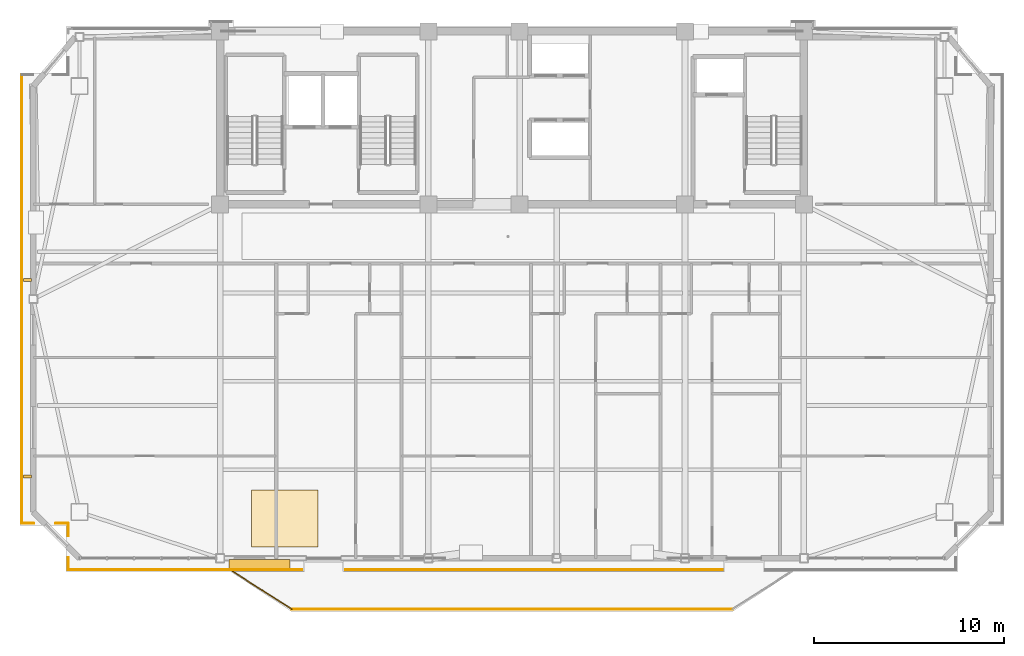
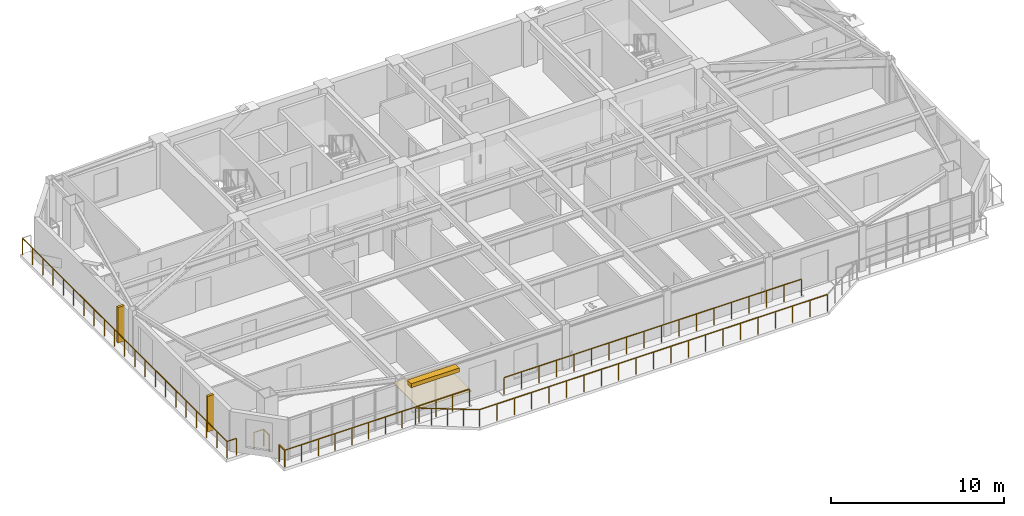
# One storey, part 12 of 15: 9 railings, 3 shading devices, 1 covering.
"""IFC4 building model written with IfcOpenShell, lengths in metres."""

import ifcopenshell
import ifcopenshell.guid

model = None  # the IFC model being written
_history = None  # IfcOwnerHistory: only IFC2X3 demands one
_inside = {}  # id of a spatial element -> (the spatial element, [elements in it])
_under = {}  # id of a project, library or spatial element -> (it, [spatial elements below it])
_declared = {}  # id of a project -> (the project, [libraries it declares])
_typed = {}  # id of a type object -> (the type object, [elements of that type])
_made_of = {}  # id of a material, layer set ... -> (it, [elements and type objects made of it])


def new_model(schema):
    """Start an empty IFC model of exactly this schema.

    Asked for "IFC4X3", IfcOpenShell would pick the latest addendum, in which some entities
    have other attributes; the version numbers below select the first issue.
    IFC2X3 requires an IfcOwnerHistory on every rooted entity: one is made here for all.
    """
    global model, _history
    if schema == "IFC4X3":
        model = ifcopenshell.file(schema_version=(4, 3, 0, 0))
    else:
        model = ifcopenshell.file(schema=schema)
    _inside.clear()
    _under.clear()
    _declared.clear()
    _typed.clear()
    _made_of.clear()
    _history = None
    if model.schema == "IFC2X3":
        org = make("IfcOrganization", Name="unknown")
        user = make(
            "IfcPersonAndOrganization",
            ThePerson=make("IfcPerson", FamilyName="unknown"),
            TheOrganization=org,
        )
        app = make(
            "IfcApplication",
            ApplicationDeveloper=org,
            Version="unknown",
            ApplicationFullName="unknown",
            ApplicationIdentifier="unknown",
        )
        _history = make(
            "IfcOwnerHistory",
            OwningUser=user,
            OwningApplication=app,
            ChangeAction="ADDED",
            CreationDate=0,
        )
    return model


def make(cls, **values):
    """One entity of the class cls with the attributes given. An attribute that is None is left unset."""
    return model.create_entity(
        cls, **{name: value for name, value in values.items() if value is not None}
    )


def rooted(cls, **values):
    """An entity with a GlobalId (a new one), such as an element, a storey or a relation."""
    return make(cls, GlobalId=ifcopenshell.guid.new(), OwnerHistory=_history, **values)


def si_unit(unit_type, name, prefix=None):
    """IfcSIUnit, for example si_unit("LENGTHUNIT", "METRE", prefix="MILLI")."""
    return make("IfcSIUnit", UnitType=unit_type, Prefix=prefix, Name=name)


def assignment(units):
    """IfcUnitAssignment: the units of a project."""
    return None if units is None else make("IfcUnitAssignment", Units=units)


def point(xyz):
    """IfcCartesianPoint."""
    return None if xyz is None else make("IfcCartesianPoint", Coordinates=xyz)


def direction(xyz):
    """IfcDirection."""
    return None if xyz is None else make("IfcDirection", DirectionRatios=xyz)


def frame(location, z_axis=None, x_axis=None):
    """IfcAxis2Placement3D, a coordinate frame: its origin and axes. An axis left out is left unset."""
    return make(
        "IfcAxis2Placement3D",
        Location=point(location),
        Axis=direction(z_axis),
        RefDirection=direction(x_axis),
    )


def frame_2d(location, x_axis=None):
    """IfcAxis2Placement2D, a coordinate frame in the plane: its origin and x axis."""
    return make(
        "IfcAxis2Placement2D", Location=point(location), RefDirection=direction(x_axis)
    )


def origin():
    """The frame at (0, 0, 0) with its axes left unset."""
    return frame((0.0, 0.0, 0.0))


def origin_2d():
    """The frame at (0, 0) in the plane with its x axis left unset."""
    return frame_2d((0.0, 0.0))


def place(relative_to, where):
    """IfcLocalPlacement: puts the frame where relative to a parent placement (None: the world)."""
    return make(
        "IfcLocalPlacement", PlacementRelTo=relative_to, RelativePlacement=where
    )


def context(
    kind, dimensions, precision=None, world=None, true_north=None, identifier=None
):
    """IfcGeometricRepresentationContext, for example the 3D "Model" context."""
    return make(
        "IfcGeometricRepresentationContext",
        ContextIdentifier=identifier,
        ContextType=kind,
        CoordinateSpaceDimension=dimensions,
        Precision=precision,
        WorldCoordinateSystem=world,
        TrueNorth=true_north,
    )


def subcontext(parent, identifier, kind, view, scale=None):
    """IfcGeometricRepresentationSubContext, for example "Body" below "Model"."""
    return make(
        "IfcGeometricRepresentationSubContext",
        ContextIdentifier=identifier,
        ContextType=kind,
        ParentContext=parent,
        TargetScale=scale,
        TargetView=view,
    )


def project(units=None, contexts=None):
    """IfcProject with its units and contexts."""
    return rooted(
        "IfcProject",
        Name="project",
        RepresentationContexts=contexts,
        UnitsInContext=assignment(units),
    )


def spatial(cls, under=None, at=None, **own):
    """A site, building, storey or space (cls), placed at a placement, below another one or the project."""
    s = rooted(cls, ObjectPlacement=at, **own)
    if under is not None:
        _under.setdefault(under.id(), (under, []))[1].append(s)
    return s


def polyline(points):
    """IfcPolyline through the points."""
    return make("IfcPolyline", Points=[point(p) for p in points])


def profile(cls, at=None, kind="AREA", **sizes):
    """A parametric profile (cls). Its sizes go by their IFC names, for example OverallWidth=200.0."""
    return make(cls, ProfileType=kind, Position=at, **sizes)


def rectangle(**sizes):
    """IfcRectangleProfileDef."""
    return profile("IfcRectangleProfileDef", **sizes)


def outline(outer, holes=None, kind="AREA"):
    """IfcArbitraryClosedProfileDef: a profile drawn as a closed curve; with holes, ...WithVoids."""
    if holes is None:
        return make("IfcArbitraryClosedProfileDef", ProfileType=kind, OuterCurve=outer)
    return make(
        "IfcArbitraryProfileDefWithVoids",
        ProfileType=kind,
        OuterCurve=outer,
        InnerCurves=holes,
    )


def extrude(swept, where, along, depth):
    """IfcExtrudedAreaSolid: the profile swept, set in the frame where, extruded along a direction by depth."""
    return make(
        "IfcExtrudedAreaSolid",
        SweptArea=swept,
        Position=where,
        ExtrudedDirection=direction(along),
        Depth=depth,
    )


def shape(context_of_items, identifier, shape_type, items):
    """IfcShapeRepresentation: the items that make up one representation, for example the "Body"."""
    return make(
        "IfcShapeRepresentation",
        ContextOfItems=context_of_items,
        RepresentationIdentifier=identifier,
        RepresentationType=shape_type,
        Items=items,
    )


def source(mapping_origin, context_of_items, identifier, shape_type, items):
    """IfcRepresentationMap: a shape defined once, which mapped items show again and again."""
    return make(
        "IfcRepresentationMap",
        MappingOrigin=mapping_origin,
        MappedRepresentation=shape(context_of_items, identifier, shape_type, items),
    )


def transform(
    local_origin,
    x_axis=None,
    y_axis=None,
    z_axis=None,
    scale=None,
    scale2=None,
    scale3=None,
    uniform=True,
):
    """IfcCartesianTransformationOperator3D, or its non-uniform kind. x_axis, y_axis, z_axis: its Axis1, 2, 3."""
    if uniform:
        return make(
            "IfcCartesianTransformationOperator3D",
            Axis1=direction(x_axis),
            Axis2=direction(y_axis),
            LocalOrigin=point(local_origin),
            Scale=scale,
            Axis3=direction(z_axis),
        )
    return make(
        "IfcCartesianTransformationOperator3DnonUniform",
        Axis1=direction(x_axis),
        Axis2=direction(y_axis),
        LocalOrigin=point(local_origin),
        Scale=scale,
        Axis3=direction(z_axis),
        Scale2=scale2,
        Scale3=scale3,
    )


def mapped(mapping_source, mapping_target):
    """IfcMappedItem: shows the shape of a source again, moved by a transform."""
    return make(
        "IfcMappedItem", MappingSource=mapping_source, MappingTarget=mapping_target
    )


def material(Name=None, Category=None):
    """IfcMaterial."""
    return make("IfcMaterial", Name=Name, Category=Category)


def layer(
    of_material, thickness, ventilated=None, Name=None, Category=None, Priority=None
):
    """IfcMaterialLayer: one layer of a wall or slab, of a material (None: an air gap)."""
    return make(
        "IfcMaterialLayer",
        Material=of_material,
        LayerThickness=thickness,
        IsVentilated=ventilated,
        Name=Name,
        Category=Category,
        Priority=Priority,
    )


def layer_set(layers, Name=None):
    """IfcMaterialLayerSet."""
    return make("IfcMaterialLayerSet", MaterialLayers=layers, LayerSetName=Name)


def made_of(thing, what):
    """Note that an element or type object is made of a material, layer set ...; save() writes the relation."""
    if what is not None:
        _made_of.setdefault(what.id(), (what, []))[1].append(thing)
    return thing


def type_object(cls, material=None, **own):
    """A type object (cls), such as IfcWallType, which elements share."""
    return made_of(rooted(cls, **own), material)


def element(
    cls,
    number,
    at=None,
    inside=None,
    cuts=None,
    type_object=None,
    material=None,
    context=None,
    identifier="Body",
    shape_type=None,
    held_by="IfcProductDefinitionShape",
    body=None,
    shapes=None,
    **own,
):
    """One element of the class cls, such as IfcWall. Its Tag is "e" and its number.

    at: its placement. inside: the storey or other place that contains it. cuts: it is an
    opening in that element (IfcRelVoidsElement). A single representation is given by context,
    identifier, shape_type and body (its items); several are given by shapes. held_by: the class
    of the entity that holds the representations. save() writes the other relations.
    """
    e = rooted(cls, Tag="e%d" % number, ObjectPlacement=at, **own)
    if body is not None:
        shapes = [shape(context, identifier, shape_type, body)]
    if shapes is not None:
        e.Representation = make(held_by, Representations=shapes)
    if inside is not None:
        _inside.setdefault(inside.id(), (inside, []))[1].append(e)
    if cuts is not None:
        rooted(
            "IfcRelVoidsElement", RelatingBuildingElement=cuts, RelatedOpeningElement=e
        )
    if type_object is not None:
        _typed.setdefault(type_object.id(), (type_object, []))[1].append(e)
    return made_of(e, material)


def aggregate(whole, parts):
    """IfcRelAggregates: a whole, such as a stair, and the parts it consists of."""
    return rooted("IfcRelAggregates", RelatingObject=whole, RelatedObjects=parts)


def save(model, path):
    """Write the relations noted so far, then the file.

    IfcRelAggregates (storeys below a building ...), IfcRelContainedInSpatialStructure (elements
    in a storey), IfcRelDefinesByType, IfcRelAssociatesMaterial and IfcRelDeclares: one each for
    every whole, place, type object, material and project.
    """
    for whole, parts in _under.values():
        aggregate(whole, parts)
    for where, things in _inside.values():
        rooted(
            "IfcRelContainedInSpatialStructure",
            RelatedElements=things,
            RelatingStructure=where,
        )
    for kind, things in _typed.values():
        rooted("IfcRelDefinesByType", RelatedObjects=things, RelatingType=kind)
    for what, things in _made_of.values():
        rooted("IfcRelAssociatesMaterial", RelatedObjects=things, RelatingMaterial=what)
    for by, libraries in _declared.values():
        rooted("IfcRelDeclares", RelatingContext=by, RelatedDefinitions=libraries)
    model.write(path)


model = new_model("IFC4")

# Units and contexts
model_context = context("Model", 3, precision=1e-05, world=origin(), true_north=direction((0.0, 1.0)))
body_context = subcontext(model_context, "Body", "Model", "MODEL_VIEW")
ifc_project = project(units=[si_unit("LENGTHUNIT", "METRE"), si_unit("AREAUNIT", "SQUARE_METRE"), si_unit("VOLUMEUNIT", "CUBIC_METRE"), si_unit("PLANEANGLEUNIT", "RADIAN"), si_unit("MASSUNIT", "GRAM", prefix="KILO")], contexts=[model_context])

# Site, building, storey
site_placement = place(None, origin())
site = spatial("IfcSite", under=ifc_project, at=site_placement, CompositionType="ELEMENT")
building_placement = place(site_placement, origin())
building = spatial("IfcBuilding", under=site, at=building_placement, Name="Giltprow Tower", CompositionType="ELEMENT")
storey_placement = place(building_placement, frame((0.0, 0.0, 293.800048828125)))
storey = spatial("IfcBuildingStorey", under=building, at=storey_placement, Name="L75", CompositionType="ELEMENT", Elevation=293.800048828125)

# Covering
ifc_material_1 = material(Name="Engineered oak", Category="wood")
ifc_layer = layer(ifc_material_1, 0.02490234375, Name="Engineered oak")
ifc_layer_set = layer_set([ifc_layer], Name="Engineered oak")
covering_type = type_object("IfcCoveringType", Name="COV-FLR-TIMBER", PredefinedType="FLOORING", material=ifc_layer_set)
covering_placement = place(storey_placement, origin())
element("IfcCovering", 1, at=covering_placement, inside=storey, type_object=covering_type, Name="L75 Residence Oak Parquet Flooring", PredefinedType="FLOORING", context=body_context, shape_type="SweptSolid", body=[
    extrude(outline(polyline([(21.5, 19.44091796875), (25.0, 19.44091796875), (25.0, 22.44091796875), (21.5, 22.44091796875), (21.5, 19.44091796875)])), origin(), (0.0, 0.0, 1.0), 0.02490234375),
])

# Railings
ifc_material_2 = material(Name="Anodized bronze", Category="metal")
railing_type = type_object("IfcRailingType", Name="RAIL-BALC-GUARD-1200", PredefinedType="BALUSTRADE", material=ifc_material_2)
railing_1_placement = place(storey_placement, frame((20.52001953125, 18.14111328125, 0.0)))
element("IfcRailing", 2, at=railing_1_placement, inside=storey, type_object=railing_type, Name="L75 Waterfront Balcony Balustrade Seg 1", PredefinedType="BALUSTRADE", context=body_context, shape_type="SweptSolid", body=[
    extrude(rectangle(XDim=0.048095703125, YDim=0.048095703125, at=origin_2d()), frame((0.0, 0.0, 1.17578125), z_axis=(0.842744768896, -0.5383133423, 0.0), x_axis=(0.5383133423, 0.842744768896, 0.0)), (0.0, 0.0, 1.0), 3.678466796875),
    extrude(rectangle(XDim=0.0419921875, YDim=0.0419921875, at=origin_2d()), origin(), (0.0, 0.0, 1.0), 1.15185546875),
    extrude(rectangle(XDim=0.0419921875, YDim=0.0419921875, at=origin_2d()), frame((0.77490234375, -0.4951171875, 0.0)), (0.0, 0.0, 1.0), 1.15185546875),
    extrude(rectangle(XDim=0.0419921875, YDim=0.0419921875, at=origin_2d()), frame((1.550048828125, -0.990234375, 0.0)), (0.0, 0.0, 1.0), 1.15185546875),
    extrude(rectangle(XDim=0.0419921875, YDim=0.0419921875, at=origin_2d()), frame((2.3251953125, -1.485107421875, 0.0)), (0.0, 0.0, 1.0), 1.15185546875),
    extrude(rectangle(XDim=0.0419921875, YDim=0.0419921875, at=origin_2d()), frame((3.10009765625, -1.980224609375, 0.0)), (0.0, 0.0, 1.0), 1.15185546875),
])
railing_2_placement = place(storey_placement, frame((23.6201171875, 16.160888671875, 0.0)))
element("IfcRailing", 3, at=railing_2_placement, inside=storey, type_object=railing_type, Name="L75 Waterfront Balcony Balustrade Seg 2", PredefinedType="BALUSTRADE", context=body_context, shape_type="SweptSolid", body=[
    extrude(rectangle(XDim=0.048095703125, YDim=0.048095703125, at=origin_2d()), frame((0.0, 0.0, 1.17578125), z_axis=(1.0, 0.0, 0.0), x_axis=(0.0, 1.0, 0.0)), (0.0, 0.0, 1.0), 23.159912109375),
    extrude(rectangle(XDim=0.0419921875, YDim=0.0419921875, at=origin_2d()), origin(), (0.0, 0.0, 1.0), 1.15185546875),
    extrude(rectangle(XDim=0.0419921875, YDim=0.0419921875, at=origin_2d()), frame((1.157958984375, 0.0, 0.0)), (0.0, 0.0, 1.0), 1.15185546875),
    extrude(rectangle(XDim=0.0419921875, YDim=0.0419921875, at=origin_2d()), frame((2.31591796875, 0.0, 0.0)), (0.0, 0.0, 1.0), 1.15185546875),
    extrude(rectangle(XDim=0.0419921875, YDim=0.0419921875, at=origin_2d()), frame((3.473876953125, 0.0, 0.0)), (0.0, 0.0, 1.0), 1.15185546875),
    extrude(rectangle(XDim=0.0419921875, YDim=0.0419921875, at=origin_2d()), frame((4.632080078125, 0.0, 0.0)), (0.0, 0.0, 1.0), 1.15185546875),
    extrude(rectangle(XDim=0.0419921875, YDim=0.0419921875, at=origin_2d()), frame((5.7900390625, 0.0, 0.0)), (0.0, 0.0, 1.0), 1.15185546875),
    extrude(rectangle(XDim=0.0419921875, YDim=0.0419921875, at=origin_2d()), frame((6.947998046875, 0.0, 0.0)), (0.0, 0.0, 1.0), 1.15185546875),
    extrude(rectangle(XDim=0.0419921875, YDim=0.0419921875, at=origin_2d()), frame((8.10595703125, 0.0, 0.0)), (0.0, 0.0, 1.0), 1.15185546875),
    extrude(rectangle(XDim=0.0419921875, YDim=0.0419921875, at=origin_2d()), frame((9.263916015625, 0.0, 0.0)), (0.0, 0.0, 1.0), 1.15185546875),
    extrude(rectangle(XDim=0.0419921875, YDim=0.0419921875, at=origin_2d()), frame((10.421875, 0.0, 0.0)), (0.0, 0.0, 1.0), 1.15185546875),
    extrude(rectangle(XDim=0.0419921875, YDim=0.0419921875, at=origin_2d()), frame((11.580078125, 0.0, 0.0)), (0.0, 0.0, 1.0), 1.15185546875),
    extrude(rectangle(XDim=0.0419921875, YDim=0.0419921875, at=origin_2d()), frame((12.738037109375, 0.0, 0.0)), (0.0, 0.0, 1.0), 1.15185546875),
    extrude(rectangle(XDim=0.0419921875, YDim=0.0419921875, at=origin_2d()), frame((13.89599609375, 0.0, 0.0)), (0.0, 0.0, 1.0), 1.15185546875),
    extrude(rectangle(XDim=0.0419921875, YDim=0.0419921875, at=origin_2d()), frame((15.053955078125, 0.0, 0.0)), (0.0, 0.0, 1.0), 1.15185546875),
    extrude(rectangle(XDim=0.0419921875, YDim=0.0419921875, at=origin_2d()), frame((16.2119140625, 0.0, 0.0)), (0.0, 0.0, 1.0), 1.15185546875),
    extrude(rectangle(XDim=0.0419921875, YDim=0.0419921875, at=origin_2d()), frame((17.369873046875, 0.0, 0.0)), (0.0, 0.0, 1.0), 1.15185546875),
    extrude(rectangle(XDim=0.0419921875, YDim=0.0419921875, at=origin_2d()), frame((18.52783203125, 0.0, 0.0)), (0.0, 0.0, 1.0), 1.15185546875),
    extrude(rectangle(XDim=0.0419921875, YDim=0.0419921875, at=origin_2d()), frame((19.68603515625, 0.0, 0.0)), (0.0, 0.0, 1.0), 1.15185546875),
    extrude(rectangle(XDim=0.0419921875, YDim=0.0419921875, at=origin_2d()), frame((20.843994140625, 0.0, 0.0)), (0.0, 0.0, 1.0), 1.15185546875),
    extrude(rectangle(XDim=0.0419921875, YDim=0.0419921875, at=origin_2d()), frame((22.001953125, 0.0, 0.0)), (0.0, 0.0, 1.0), 1.15185546875),
    extrude(rectangle(XDim=0.0419921875, YDim=0.0419921875, at=origin_2d()), frame((23.159912109375, 0.0, 0.0)), (0.0, 0.0, 1.0), 1.15185546875),
])
railing_3_placement = place(storey_placement, frame((46.25, 18.240966796875, 0.0)))
element("IfcRailing", 4, at=railing_3_placement, inside=storey, type_object=railing_type, Name="L75 Corner Apron Edge Balustrade 7", PredefinedType="BALUSTRADE", context=body_context, shape_type="SweptSolid", body=[
    extrude(rectangle(XDim=0.048095703125, YDim=0.048095703125, at=origin_2d()), frame((0.0, 0.0, 1.17578125), z_axis=(-1.0, 0.0, 0.0), x_axis=(0.0, -1.0, 0.0)), (0.0, 0.0, 1.0), 19.800048828125),
    extrude(rectangle(XDim=0.0419921875, YDim=0.0419921875, at=origin_2d()), origin(), (0.0, 0.0, 1.0), 1.15185546875),
    extrude(rectangle(XDim=0.0419921875, YDim=0.0419921875, at=origin_2d()), frame((-1.164794921875, 0.0, 0.0)), (0.0, 0.0, 1.0), 1.15185546875),
    extrude(rectangle(XDim=0.0419921875, YDim=0.0419921875, at=origin_2d()), frame((-2.329345703125, 0.0, 0.0)), (0.0, 0.0, 1.0), 1.15185546875),
    extrude(rectangle(XDim=0.0419921875, YDim=0.0419921875, at=origin_2d()), frame((-3.494140625, 0.0, 0.0)), (0.0, 0.0, 1.0), 1.15185546875),
    extrude(rectangle(XDim=0.0419921875, YDim=0.0419921875, at=origin_2d()), frame((-4.658935546875, 0.0, 0.0)), (0.0, 0.0, 1.0), 1.15185546875),
    extrude(rectangle(XDim=0.0419921875, YDim=0.0419921875, at=origin_2d()), frame((-5.823486328125, 0.0, 0.0)), (0.0, 0.0, 1.0), 1.15185546875),
    extrude(rectangle(XDim=0.0419921875, YDim=0.0419921875, at=origin_2d()), frame((-6.98828125, 0.0, 0.0)), (0.0, 0.0, 1.0), 1.15185546875),
    extrude(rectangle(XDim=0.0419921875, YDim=0.0419921875, at=origin_2d()), frame((-8.153076171875, 0.0, 0.0)), (0.0, 0.0, 1.0), 1.15185546875),
    extrude(rectangle(XDim=0.0419921875, YDim=0.0419921875, at=origin_2d()), frame((-9.317626953125, 0.0, 0.0)), (0.0, 0.0, 1.0), 1.15185546875),
    extrude(rectangle(XDim=0.0419921875, YDim=0.0419921875, at=origin_2d()), frame((-10.482421875, 0.0, 0.0)), (0.0, 0.0, 1.0), 1.15185546875),
    extrude(rectangle(XDim=0.0419921875, YDim=0.0419921875, at=origin_2d()), frame((-11.64697265625, 0.0, 0.0)), (0.0, 0.0, 1.0), 1.15185546875),
    extrude(rectangle(XDim=0.0419921875, YDim=0.0419921875, at=origin_2d()), frame((-12.811767578125, 0.0, 0.0)), (0.0, 0.0, 1.0), 1.15185546875),
    extrude(rectangle(XDim=0.0419921875, YDim=0.0419921875, at=origin_2d()), frame((-13.9765625, 0.0, 0.0)), (0.0, 0.0, 1.0), 1.15185546875),
    extrude(rectangle(XDim=0.0419921875, YDim=0.0419921875, at=origin_2d()), frame((-15.14111328125, 0.0, 0.0)), (0.0, 0.0, 1.0), 1.15185546875),
    extrude(rectangle(XDim=0.0419921875, YDim=0.0419921875, at=origin_2d()), frame((-16.305908203125, 0.0, 0.0)), (0.0, 0.0, 1.0), 1.15185546875),
    extrude(rectangle(XDim=0.0419921875, YDim=0.0419921875, at=origin_2d()), frame((-17.470703125, 0.0, 0.0)), (0.0, 0.0, 1.0), 1.15185546875),
    extrude(rectangle(XDim=0.0419921875, YDim=0.0419921875, at=origin_2d()), frame((-18.63525390625, 0.0, 0.0)), (0.0, 0.0, 1.0), 1.15185546875),
    extrude(rectangle(XDim=0.0419921875, YDim=0.0419921875, at=origin_2d()), frame((-19.800048828125, 0.0, 0.0)), (0.0, 0.0, 1.0), 1.15185546875),
])
railing_4_placement = place(storey_placement, frame((24.14990234375, 18.240966796875, 0.0)))
element("IfcRailing", 5, at=railing_4_placement, inside=storey, type_object=railing_type, Name="L75 Corner Apron Edge Balustrade 8", PredefinedType="BALUSTRADE", context=body_context, shape_type="SweptSolid", body=[
    extrude(rectangle(XDim=0.048095703125, YDim=0.048095703125, at=origin_2d()), frame((0.0, 0.0, 1.17578125), z_axis=(-1.0, 0.0, 0.0), x_axis=(0.0, -1.0, 0.0)), (0.0, 0.0, 1.0), 12.294921875),
    extrude(rectangle(XDim=0.0419921875, YDim=0.0419921875, at=origin_2d()), origin(), (0.0, 0.0, 1.0), 1.15185546875),
    extrude(rectangle(XDim=0.0419921875, YDim=0.0419921875, at=origin_2d()), frame((-1.11767578125, 0.0, 0.0)), (0.0, 0.0, 1.0), 1.15185546875),
    extrude(rectangle(XDim=0.0419921875, YDim=0.0419921875, at=origin_2d()), frame((-2.2353515625, 0.0, 0.0)), (0.0, 0.0, 1.0), 1.15185546875),
    extrude(rectangle(XDim=0.0419921875, YDim=0.0419921875, at=origin_2d()), frame((-3.353271484375, 0.0, 0.0)), (0.0, 0.0, 1.0), 1.15185546875),
    extrude(rectangle(XDim=0.0419921875, YDim=0.0419921875, at=origin_2d()), frame((-4.470947265625, 0.0, 0.0)), (0.0, 0.0, 1.0), 1.15185546875),
    extrude(rectangle(XDim=0.0419921875, YDim=0.0419921875, at=origin_2d()), frame((-5.588623046875, 0.0, 0.0)), (0.0, 0.0, 1.0), 1.15185546875),
    extrude(rectangle(XDim=0.0419921875, YDim=0.0419921875, at=origin_2d()), frame((-6.706298828125, 0.0, 0.0)), (0.0, 0.0, 1.0), 1.15185546875),
    extrude(rectangle(XDim=0.0419921875, YDim=0.0419921875, at=origin_2d()), frame((-7.823974609375, 0.0, 0.0)), (0.0, 0.0, 1.0), 1.15185546875),
    extrude(rectangle(XDim=0.0419921875, YDim=0.0419921875, at=origin_2d()), frame((-8.941650390625, 0.0, 0.0)), (0.0, 0.0, 1.0), 1.15185546875),
    extrude(rectangle(XDim=0.0419921875, YDim=0.0419921875, at=origin_2d()), frame((-10.0595703125, 0.0, 0.0)), (0.0, 0.0, 1.0), 1.15185546875),
    extrude(rectangle(XDim=0.0419921875, YDim=0.0419921875, at=origin_2d()), frame((-11.17724609375, 0.0, 0.0)), (0.0, 0.0, 1.0), 1.15185546875),
    extrude(rectangle(XDim=0.0419921875, YDim=0.0419921875, at=origin_2d()), frame((-12.294921875, 0.0, 0.0)), (0.0, 0.0, 1.0), 1.15185546875),
])
railing_5_placement = place(storey_placement, frame((11.85498046875, 18.240966796875, 0.0)))
element("IfcRailing", 6, at=railing_5_placement, inside=storey, type_object=railing_type, Name="L75 Corner Apron Edge Balustrade 9", PredefinedType="BALUSTRADE", context=body_context, shape_type="SweptSolid", body=[
    extrude(rectangle(XDim=0.048095703125, YDim=0.048095703125, at=origin_2d()), frame((0.0, 0.0, 1.17578125), z_axis=(0.0, 1.0, 0.0), x_axis=(-1.0, 0.0, 0.0)), (0.0, 0.0, 1.0), 0.6201171875),
    extrude(rectangle(XDim=0.0419921875, YDim=0.0419921875, at=origin_2d()), origin(), (0.0, 0.0, 1.0), 1.15185546875),
    extrude(rectangle(XDim=0.0419921875, YDim=0.0419921875, at=origin_2d()), frame((0.0, 0.6201171875, 0.0)), (0.0, 0.0, 1.0), 1.15185546875),
])
railing_6_placement = place(storey_placement, frame((11.85498046875, 20.02099609375, 0.0)))
element("IfcRailing", 7, at=railing_6_placement, inside=storey, type_object=railing_type, Name="L75 Corner Apron Edge Balustrade 10", PredefinedType="BALUSTRADE", context=body_context, shape_type="SweptSolid", body=[
    extrude(rectangle(XDim=0.048095703125, YDim=0.048095703125, at=origin_2d()), frame((0.0, 0.0, 1.17578125), z_axis=(0.0, 1.0, 0.0), x_axis=(-1.0, 0.0, 0.0)), (0.0, 0.0, 1.0), 0.651123046875),
    extrude(rectangle(XDim=0.0419921875, YDim=0.0419921875, at=origin_2d()), origin(), (0.0, 0.0, 1.0), 1.15185546875),
    extrude(rectangle(XDim=0.0419921875, YDim=0.0419921875, at=origin_2d()), frame((0.0, 0.651123046875, 0.0)), (0.0, 0.0, 1.0), 1.15185546875),
])
railing_7_placement = place(storey_placement, frame((11.85498046875, 20.672119140625, 0.0)))
element("IfcRailing", 8, at=railing_7_placement, inside=storey, type_object=railing_type, Name="L75 Corner Apron Edge Balustrade 11", PredefinedType="BALUSTRADE", context=body_context, shape_type="SweptSolid", body=[
    extrude(rectangle(XDim=0.048095703125, YDim=0.048095703125, at=origin_2d()), frame((0.0, 0.0, 1.17578125), z_axis=(-1.0, 0.0, 0.0), x_axis=(0.0, -1.0, 0.0)), (0.0, 0.0, 1.0), 0.65087890625),
    extrude(rectangle(XDim=0.0419921875, YDim=0.0419921875, at=origin_2d()), origin(), (0.0, 0.0, 1.0), 1.15185546875),
    extrude(rectangle(XDim=0.0419921875, YDim=0.0419921875, at=origin_2d()), frame((-0.65087890625, 0.0, 0.0)), (0.0, 0.0, 1.0), 1.15185546875),
])
railing_8_placement = place(storey_placement, frame((10.0439453125, 20.672119140625, 0.0)))
element("IfcRailing", 9, at=railing_8_placement, inside=storey, type_object=railing_type, Name="L75 Corner Apron Edge Balustrade 12", PredefinedType="BALUSTRADE", context=body_context, shape_type="SweptSolid", body=[
    extrude(rectangle(XDim=0.048095703125, YDim=0.048095703125, at=origin_2d()), frame((0.0, 0.0, 1.17578125), z_axis=(-1.0, 0.0, 0.0), x_axis=(0.0, -1.0, 0.0)), (0.0, 0.0, 1.0), 0.619873046875),
    extrude(rectangle(XDim=0.0419921875, YDim=0.0419921875, at=origin_2d()), origin(), (0.0, 0.0, 1.0), 1.15185546875),
    extrude(rectangle(XDim=0.0419921875, YDim=0.0419921875, at=origin_2d()), frame((-0.619873046875, 0.0, 0.0)), (0.0, 0.0, 1.0), 1.15185546875),
])
railing_9_placement = place(storey_placement, frame((9.424072265625, 20.672119140625, 0.0)))
element("IfcRailing", 10, at=railing_9_placement, inside=storey, type_object=railing_type, Name="L75 Corner Apron Edge Balustrade 13", PredefinedType="BALUSTRADE", context=body_context, shape_type="SweptSolid", body=[
    extrude(rectangle(XDim=0.048095703125, YDim=0.048095703125, at=origin_2d()), frame((0.0, 0.0, 1.17578125), z_axis=(0.0, 1.0, 0.0), x_axis=(-1.0, 0.0, 0.0)), (0.0, 0.0, 1.0), 23.597900390625),
    extrude(rectangle(XDim=0.0419921875, YDim=0.0419921875, at=origin_2d()), origin(), (0.0, 0.0, 1.0), 1.15185546875),
    extrude(rectangle(XDim=0.0419921875, YDim=0.0419921875, at=origin_2d()), frame((0.0, 1.179931640625, 0.0)), (0.0, 0.0, 1.0), 1.15185546875),
    extrude(rectangle(XDim=0.0419921875, YDim=0.0419921875, at=origin_2d()), frame((0.0, 2.35986328125, 0.0)), (0.0, 0.0, 1.0), 1.15185546875),
    extrude(rectangle(XDim=0.0419921875, YDim=0.0419921875, at=origin_2d()), frame((0.0, 3.539794921875, 0.0)), (0.0, 0.0, 1.0), 1.15185546875),
    extrude(rectangle(XDim=0.0419921875, YDim=0.0419921875, at=origin_2d()), frame((0.0, 4.719482421875, 0.0)), (0.0, 0.0, 1.0), 1.15185546875),
    extrude(rectangle(XDim=0.0419921875, YDim=0.0419921875, at=origin_2d()), frame((0.0, 5.8994140625, 0.0)), (0.0, 0.0, 1.0), 1.15185546875),
    extrude(rectangle(XDim=0.0419921875, YDim=0.0419921875, at=origin_2d()), frame((0.0, 7.079345703125, 0.0)), (0.0, 0.0, 1.0), 1.15185546875),
    extrude(rectangle(XDim=0.0419921875, YDim=0.0419921875, at=origin_2d()), frame((0.0, 8.25927734375, 0.0)), (0.0, 0.0, 1.0), 1.15185546875),
    extrude(rectangle(XDim=0.0419921875, YDim=0.0419921875, at=origin_2d()), frame((0.0, 9.439208984375, 0.0)), (0.0, 0.0, 1.0), 1.15185546875),
    extrude(rectangle(XDim=0.0419921875, YDim=0.0419921875, at=origin_2d()), frame((0.0, 10.619140625, 0.0)), (0.0, 0.0, 1.0), 1.15185546875),
    extrude(rectangle(XDim=0.0419921875, YDim=0.0419921875, at=origin_2d()), frame((0.0, 11.798828125, 0.0)), (0.0, 0.0, 1.0), 1.15185546875),
    extrude(rectangle(XDim=0.0419921875, YDim=0.0419921875, at=origin_2d()), frame((0.0, 12.978759765625, 0.0)), (0.0, 0.0, 1.0), 1.15185546875),
    extrude(rectangle(XDim=0.0419921875, YDim=0.0419921875, at=origin_2d()), frame((0.0, 14.15869140625, 0.0)), (0.0, 0.0, 1.0), 1.15185546875),
    extrude(rectangle(XDim=0.0419921875, YDim=0.0419921875, at=origin_2d()), frame((0.0, 15.338623046875, 0.0)), (0.0, 0.0, 1.0), 1.15185546875),
    extrude(rectangle(XDim=0.0419921875, YDim=0.0419921875, at=origin_2d()), frame((0.0, 16.5185546875, 0.0)), (0.0, 0.0, 1.0), 1.15185546875),
    extrude(rectangle(XDim=0.0419921875, YDim=0.0419921875, at=origin_2d()), frame((0.0, 17.698486328125, 0.0)), (0.0, 0.0, 1.0), 1.15185546875),
    extrude(rectangle(XDim=0.0419921875, YDim=0.0419921875, at=origin_2d()), frame((0.0, 18.87841796875, 0.0)), (0.0, 0.0, 1.0), 1.15185546875),
    extrude(rectangle(XDim=0.0419921875, YDim=0.0419921875, at=origin_2d()), frame((0.0, 20.05810546875, 0.0)), (0.0, 0.0, 1.0), 1.15185546875),
    extrude(rectangle(XDim=0.0419921875, YDim=0.0419921875, at=origin_2d()), frame((0.0, 21.238037109375, 0.0)), (0.0, 0.0, 1.0), 1.15185546875),
    extrude(rectangle(XDim=0.0419921875, YDim=0.0419921875, at=origin_2d()), frame((0.0, 22.41796875, 0.0)), (0.0, 0.0, 1.0), 1.15185546875),
    extrude(rectangle(XDim=0.0419921875, YDim=0.0419921875, at=origin_2d()), frame((0.0, 23.597900390625, 0.0)), (0.0, 0.0, 1.0), 1.15185546875),
])

# Shading devices
shading_device_type_1 = type_object("IfcShadingDeviceType", Name="SHD-FIN-420", PredefinedType="USERDEFINED", material=ifc_material_2)
shared_shape_1 = source(origin(), body_context, "Body", "SweptSolid", [
    extrude(rectangle(XDim=0.419921875, YDim=0.159912109375, at=origin_2d()), origin(), (0.0, 0.0, 1.0), 2.5),
])
for number, where, z_axis, x_axis, name in (
    (11, (9.72412109375, 23.14501953125, 0.349853515625), (0.0, 0.0, 1.0), (1.0, 0.0, 0.0), "L75 W Bronze Vertical Fin 1-1"),
    (12, (9.72412109375, 33.47705078125, 0.349853515625), (0.0, 0.0, 1.0), (1.0, 0.0, 0.0), "L75 W Bronze Vertical Fin 2-1"),
):
    element("IfcShadingDevice", number, at=place(storey_placement, frame(where, z_axis=z_axis, x_axis=x_axis)), inside=storey, type_object=shading_device_type_1, Name=name, ObjectType="FIN", PredefinedType="USERDEFINED", context=body_context, shape_type="MappedRepresentation", body=[
        mapped(shared_shape_1, transform((0.0, 0.0, 0.0), x_axis=(1.0, 0.0, 0.0), y_axis=(0.0, 1.0, 0.0), z_axis=(0.0, 0.0, 1.0), scale=1.0)),
    ])
shading_device_type_2 = type_object("IfcShadingDeviceType", Name="SHD-LOUVRE-320", PredefinedType="JALOUSIE", material=ifc_material_2)
shared_shape_2 = source(origin(), body_context, "Body", "SweptSolid", [
    extrude(rectangle(XDim=3.199951171875, YDim=0.449951171875, at=origin_2d()), origin(), (0.0, 0.0, 1.0), 0.280029296875),
])
shading_device_placement = place(storey_placement, frame((21.925048828125, 18.541015625, 2.56005859375), z_axis=(0.0, 0.0, 1.0), x_axis=(1.0, 0.0, 0.0)))
element("IfcShadingDevice", 13, at=shading_device_placement, inside=storey, type_object=shading_device_type_2, Name="L75 Bronze Sunshade Louvre S-2", PredefinedType="JALOUSIE", context=body_context, shape_type="MappedRepresentation", body=[
    mapped(shared_shape_2, transform((0.0, 0.0, 0.0), x_axis=(1.0, 0.0, 0.0), y_axis=(0.0, 1.0, 0.0), z_axis=(0.0, 0.0, 1.0), scale=1.0)),
])

save(model, "model.ifc")
